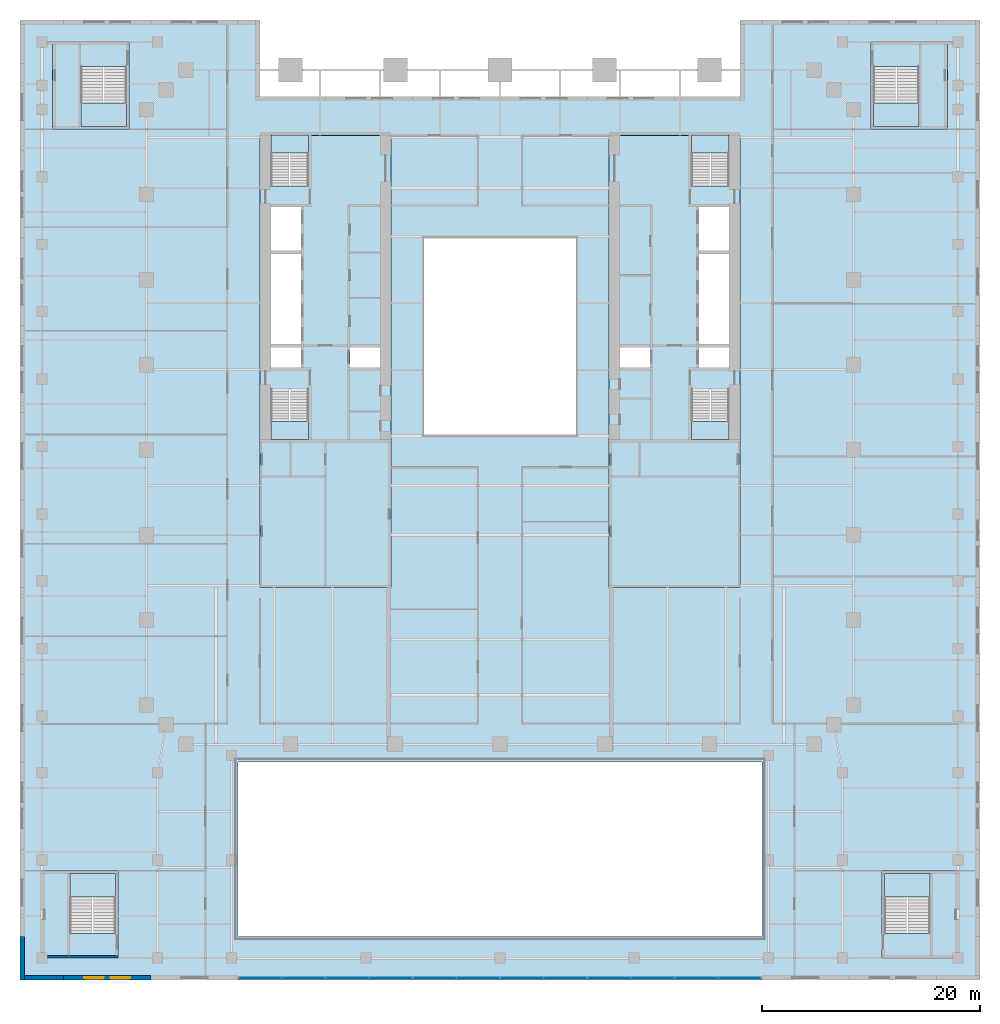
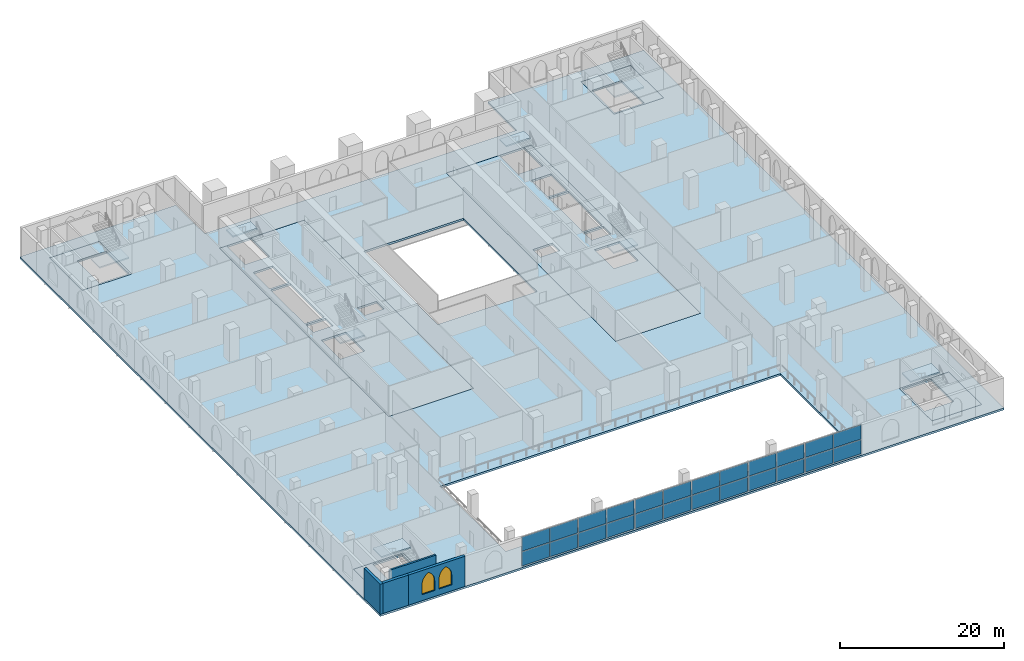
# One storey, part 7 of 19: 24 plates, 15 slabs, 4 walls, 2 windows, 2 openings, 14 elements without a shape of their own.
"""IFC4 building model written with IfcOpenShell, lengths in metres."""

from ifc_helpers import new_model, si_unit, direction, frame, frame_2d, origin, origin_2d, place, context, subcontext, project, spatial, polyline, rectangle, outline, extrude, material, layer, layer_set, type_object, element, fill, aggregate, save


model = new_model("IFC4")

# Units and contexts
model_context = context("Model", 3, precision=1e-05, world=origin(), true_north=direction((0.0, 1.0)))
body_context = subcontext(model_context, "Body", "Model", "MODEL_VIEW")
ifc_project = project(units=[si_unit("LENGTHUNIT", "METRE"), si_unit("AREAUNIT", "SQUARE_METRE"), si_unit("VOLUMEUNIT", "CUBIC_METRE"), si_unit("PLANEANGLEUNIT", "RADIAN"), si_unit("MASSUNIT", "GRAM", prefix="KILO")], contexts=[model_context])

# Site, building, storey
site_placement = place(None, origin())
site = spatial("IfcSite", under=ifc_project, at=site_placement, CompositionType="ELEMENT")
building_placement = place(site_placement, origin())
building = spatial("IfcBuilding", under=site, at=building_placement, Name="Ogive Exchange Tower", CompositionType="ELEMENT")
storey_placement = place(building_placement, frame((0.0, 0.0, 19.199951171875)))
storey = spatial("IfcBuildingStorey", under=building, at=storey_placement, Name="L03", CompositionType="ELEMENT", Elevation=19.199951171875)

# Slabs
ifc_material_1 = material(Name="Concrete C50/60", Category="concrete")
ifc_layer_1 = layer(ifc_material_1, 0.300048828125)
ifc_layer_set_1 = layer_set([ifc_layer_1], Name="Composite floor slab 300")
slab_type_1 = type_object("IfcSlabType", Name="Composite floor slab 300", PredefinedType="FLOOR", material=ifc_layer_set_1)
slab_1_placement = place(storey_placement, frame((0.0, 0.0, -0.300048828125)))
element("IfcSlab", 1, at=slab_1_placement, inside=storey, type_object=slab_type_1, Name="Composite floor slab", PredefinedType="FLOOR", context=body_context, shape_type="SweptSolid", body=[
    extrude(outline(polyline([(44.0, -52.0), (-44.0, -52.0), (-44.0, 36.0), (-22.0, 36.0), (-22.0, 29.0), (22.0, 29.0), (22.0, 36.0), (44.0, 36.0), (44.0, -52.0)]), holes=[polyline([(-42.0, -42.0), (-42.0, -50.0), (-35.0, -50.0), (-35.0, -42.0), (-42.0, -42.0)]), polyline([(35.0, -42.0), (35.0, -50.0), (42.0, -50.0), (42.0, -42.0), (35.0, -42.0)]), polyline([(-24.0, -32.0), (-24.0, -48.0), (24.0, -48.0), (24.0, -32.0), (-24.0, -32.0)]), polyline([(-22.0, 25.39990234375), (-22.0, -16.0), (-10.0, -16.0), (-10.0, 25.39990234375), (-22.0, 25.39990234375)]), polyline([(10.0, 25.39990234375), (10.0, -16.0), (22.0, -16.0), (22.0, 25.39990234375), (10.0, 25.39990234375)]), polyline([(-7.0, 16.0), (-7.0, -2.0), (7.0, -2.0), (7.0, 16.0), (-7.0, 16.0)]), polyline([(-41.0, 34.0), (-41.0, 26.0), (-34.0, 26.0), (-34.0, 34.0), (-41.0, 34.0)]), polyline([(34.0, 34.0), (34.0, 26.0), (41.0, 26.0), (41.0, 34.0), (34.0, 34.0)])]), origin(), (0.0, 0.0, 1.0), 0.300048828125),
])
ifc_material_2 = material(Name="Concrete C70/85", Category="concrete")
ifc_layer_2 = layer(ifc_material_2, 0.300048828125)
ifc_layer_set_2 = layer_set([ifc_layer_2], Name="Core floor slab 300")
slab_type_2 = type_object("IfcSlabType", Name="Core floor slab 300", PredefinedType="FLOOR", material=ifc_layer_set_2)
slab_2_placement = place(storey_placement, frame((0.0, 0.0, -0.300048828125)))
element("IfcSlab", 2, at=slab_2_placement, inside=storey, type_object=slab_type_2, Name="Core floor slab", PredefinedType="FLOOR", context=body_context, shape_type="SweptSolid", body=[
    extrude(outline(polyline([(-10.0, 25.39990234375), (-10.0, -16.0), (-22.0, -16.0), (-22.0, 25.39990234375), (-21.0, 25.39990234375), (-21.0, 20.803955078125), (-17.550048828125, 20.803955078125), (-17.550048828125, 25.39990234375), (-10.0, 25.39990234375)]), holes=[polyline([(-17.550048828125, 2.196044921875), (-21.0, 2.196044921875), (-21.0, -2.449951171875), (-17.550048828125, -2.449951171875), (-17.550048828125, 2.196044921875)]), polyline([(-18.25, 5.992919921875), (-21.0, 5.992919921875), (-21.0, 4.14990234375), (-18.25, 4.14990234375), (-18.25, 5.992919921875)]), polyline([(-11.0, 5.992919921875), (-13.75, 5.992919921875), (-13.75, 4.14990234375), (-11.0, 4.14990234375), (-11.0, 5.992919921875)]), polyline([(-21.0, 14.564208984375), (-21.0, 6.29296875), (-18.25, 6.29296875), (-18.25, 14.564208984375), (-21.0, 14.564208984375)]), polyline([(-18.25, 18.85009765625), (-21.0, 18.85009765625), (-21.0, 14.8642578125), (-18.25, 14.8642578125), (-18.25, 18.85009765625)])]), origin(), (0.0, 0.0, 1.0), 0.300048828125),
])
slab_3_placement = place(storey_placement, frame((0.0, 0.0, -0.300048828125)))
element("IfcSlab", 3, at=slab_3_placement, inside=storey, type_object=slab_type_2, Name="Core floor slab", PredefinedType="FLOOR", context=body_context, shape_type="SweptSolid", body=[
    extrude(outline(polyline([(22.0, 25.39990234375), (22.0, -16.0), (10.0, -16.0), (10.0, 25.39990234375), (17.550048828125, 25.39990234375), (17.550048828125, 20.803955078125), (21.0, 20.803955078125), (21.0, 25.39990234375), (22.0, 25.39990234375)]), holes=[polyline([(21.0, 2.196044921875), (17.550048828125, 2.196044921875), (17.550048828125, -2.449951171875), (21.0, -2.449951171875), (21.0, 2.196044921875)]), polyline([(13.75, 5.992919921875), (11.0, 5.992919921875), (11.0, 4.14990234375), (13.75, 4.14990234375), (13.75, 5.992919921875)]), polyline([(21.0, 5.992919921875), (18.25, 5.992919921875), (18.25, 4.14990234375), (21.0, 4.14990234375), (21.0, 5.992919921875)]), polyline([(18.25, 14.564208984375), (18.25, 6.29296875), (21.0, 6.29296875), (21.0, 14.564208984375), (18.25, 14.564208984375)]), polyline([(21.0, 18.85009765625), (18.25, 18.85009765625), (18.25, 14.8642578125), (21.0, 14.8642578125), (21.0, 18.85009765625)])]), origin(), (0.0, 0.0, 1.0), 0.300048828125),
])
slab_4_placement = place(storey_placement, frame((0.0, 0.0, -0.300048828125)))
element("IfcSlab", 4, at=slab_4_placement, inside=storey, type_object=slab_type_2, Name="Core floor slab", PredefinedType="FLOOR", context=body_context, shape_type="SweptSolid", body=[
    extrude(outline(polyline([(-42.0, -50.0), (-42.0, -42.0), (-35.0, -42.0), (-35.0, -50.0), (-42.0, -50.0)]), holes=[polyline([(-35.25, -42.25), (-39.39990234375, -42.25), (-39.39990234375, -47.74609375), (-35.25, -47.74609375), (-35.25, -42.25)])]), origin(), (0.0, 0.0, 1.0), 0.300048828125),
])
slab_5_placement = place(storey_placement, frame((0.0, 0.0, -0.300048828125)))
element("IfcSlab", 5, at=slab_5_placement, inside=storey, type_object=slab_type_2, Name="Core floor slab", PredefinedType="FLOOR", context=body_context, shape_type="SweptSolid", body=[
    extrude(outline(polyline([(35.0, -50.0), (35.0, -42.0), (42.0, -42.0), (42.0, -50.0), (35.0, -50.0)]), holes=[polyline([(39.39990234375, -42.25), (35.25, -42.25), (35.25, -47.74609375), (39.39990234375, -47.74609375), (39.39990234375, -42.25)])]), origin(), (0.0, 0.0, 1.0), 0.300048828125),
])
slab_6_placement = place(storey_placement, frame((0.0, 0.0, -0.300048828125)))
element("IfcSlab", 6, at=slab_6_placement, inside=storey, type_object=slab_type_2, Name="Core floor slab", PredefinedType="FLOOR", context=body_context, shape_type="SweptSolid", body=[
    extrude(outline(polyline([(-41.0, 26.0), (-41.0, 34.0), (-34.0, 34.0), (-34.0, 26.0), (-41.0, 26.0)]), holes=[polyline([(-38.39990234375, 26.25), (-34.25, 26.25), (-34.25, 31.74609375), (-38.39990234375, 31.74609375), (-38.39990234375, 26.25)])]), origin(), (0.0, 0.0, 1.0), 0.300048828125),
])
slab_7_placement = place(storey_placement, frame((0.0, 0.0, -0.300048828125)))
element("IfcSlab", 7, at=slab_7_placement, inside=storey, type_object=slab_type_2, Name="Core floor slab", PredefinedType="FLOOR", context=body_context, shape_type="SweptSolid", body=[
    extrude(outline(polyline([(34.0, 26.0), (34.0, 34.0), (41.0, 34.0), (41.0, 26.0), (34.0, 26.0)]), holes=[polyline([(34.25, 26.25), (38.39990234375, 26.25), (38.39990234375, 31.74609375), (34.25, 31.74609375), (34.25, 26.25)])]), origin(), (0.0, 0.0, 1.0), 0.300048828125),
])

# Curtain wall, plates
ifc_material_3 = material(Name="Anodised aluminium and clear glass", Category="aluminium")
curtain_wall_type = type_object("IfcCurtainWallType", Name="Galleria end wall glazing", PredefinedType="NOTDEFINED", material=ifc_material_3)
curtain_wall_1_placement = place(storey_placement, origin())
curtain_wall_1 = element("IfcCurtainWall", 8, at=curtain_wall_1_placement, inside=storey, type_object=curtain_wall_type, Name="Galleria end wall glazing run GE4", PredefinedType="NOTDEFINED")
ifc_material_4 = material(Name="Clear glass", Category="glass")
ifc_layer_3 = layer(ifc_material_4, 0.0400390625)
ifc_layer_set_3 = layer_set([ifc_layer_3], Name="Laminated clear glass panel 40")
plate_type = type_object("IfcPlateType", Name="Laminated clear glass panel 40", PredefinedType="CURTAIN_PANEL", material=ifc_layer_set_3)
plate_1_placement = place(storey_placement, frame((-21.97998046875, -51.800048828125, 0.080078125), z_axis=(0.0, 0.0, 1.0), x_axis=(1.0, 0.0, 0.0)))
plate_1 = element("IfcPlate", 9, at=plate_1_placement, type_object=plate_type, Name="GE4 panel 1.1", PredefinedType="CURTAIN_PANEL", context=body_context, shape_type="SweptSolid", body=[
    extrude(rectangle(XDim=3.8798828125, YDim=0.0400390625, at=origin_2d()), origin(), (0.0, 0.0, 1.0), 2.1298828125),
])
plate_2_placement = place(storey_placement, frame((-21.97998046875, -51.800048828125, 2.2900390625), z_axis=(0.0, 0.0, 1.0), x_axis=(1.0, 0.0, 0.0)))
plate_2 = element("IfcPlate", 10, at=plate_2_placement, type_object=plate_type, Name="GE4 panel 1.2", PredefinedType="CURTAIN_PANEL", context=body_context, shape_type="SweptSolid", body=[
    extrude(rectangle(XDim=3.8798828125, YDim=0.0400390625, at=origin_2d()), origin(), (0.0, 0.0, 1.0), 2.1298828125),
])
plate_3_placement = place(storey_placement, frame((-18.02001953125, -51.800048828125, 0.080078125), z_axis=(0.0, 0.0, 1.0), x_axis=(1.0, 0.0, 0.0)))
plate_3 = element("IfcPlate", 11, at=plate_3_placement, type_object=plate_type, Name="GE4 panel 2.1", PredefinedType="CURTAIN_PANEL", context=body_context, shape_type="SweptSolid", body=[
    extrude(rectangle(XDim=3.8798828125, YDim=0.0400390625, at=origin_2d()), origin(), (0.0, 0.0, 1.0), 2.1298828125),
])
plate_4_placement = place(storey_placement, frame((-18.02001953125, -51.800048828125, 2.2900390625), z_axis=(0.0, 0.0, 1.0), x_axis=(1.0, 0.0, 0.0)))
plate_4 = element("IfcPlate", 12, at=plate_4_placement, type_object=plate_type, Name="GE4 panel 2.2", PredefinedType="CURTAIN_PANEL", context=body_context, shape_type="SweptSolid", body=[
    extrude(rectangle(XDim=3.8798828125, YDim=0.0400390625, at=origin_2d()), origin(), (0.0, 0.0, 1.0), 2.1298828125),
])
aggregate(curtain_wall_1, [plate_1, plate_2, plate_3, plate_4])

curtain_wall_2_placement = place(storey_placement, origin())
curtain_wall_2 = element("IfcCurtainWall", 13, at=curtain_wall_2_placement, inside=storey, type_object=curtain_wall_type, Name="Galleria end wall glazing run GE5", PredefinedType="NOTDEFINED")
plate_5_placement = place(storey_placement, frame((-13.97998046875, -51.800048828125, 0.080078125), z_axis=(0.0, 0.0, 1.0), x_axis=(1.0, 0.0, 0.0)))
plate_5 = element("IfcPlate", 14, at=plate_5_placement, type_object=plate_type, Name="GE5 panel 1.1", PredefinedType="CURTAIN_PANEL", context=body_context, shape_type="SweptSolid", body=[
    extrude(rectangle(XDim=3.8798828125, YDim=0.0400390625, at=origin_2d()), origin(), (0.0, 0.0, 1.0), 2.1298828125),
])
plate_6_placement = place(storey_placement, frame((-13.97998046875, -51.800048828125, 2.2900390625), z_axis=(0.0, 0.0, 1.0), x_axis=(1.0, 0.0, 0.0)))
plate_6 = element("IfcPlate", 15, at=plate_6_placement, type_object=plate_type, Name="GE5 panel 1.2", PredefinedType="CURTAIN_PANEL", context=body_context, shape_type="SweptSolid", body=[
    extrude(rectangle(XDim=3.8798828125, YDim=0.0400390625, at=origin_2d()), origin(), (0.0, 0.0, 1.0), 2.1298828125),
])
plate_7_placement = place(storey_placement, frame((-10.02001953125, -51.800048828125, 0.080078125), z_axis=(0.0, 0.0, 1.0), x_axis=(1.0, 0.0, 0.0)))
plate_7 = element("IfcPlate", 16, at=plate_7_placement, type_object=plate_type, Name="GE5 panel 2.1", PredefinedType="CURTAIN_PANEL", context=body_context, shape_type="SweptSolid", body=[
    extrude(rectangle(XDim=3.8798828125, YDim=0.0400390625, at=origin_2d()), origin(), (0.0, 0.0, 1.0), 2.1298828125),
])
plate_8_placement = place(storey_placement, frame((-10.02001953125, -51.800048828125, 2.2900390625), z_axis=(0.0, 0.0, 1.0), x_axis=(1.0, 0.0, 0.0)))
plate_8 = element("IfcPlate", 17, at=plate_8_placement, type_object=plate_type, Name="GE5 panel 2.2", PredefinedType="CURTAIN_PANEL", context=body_context, shape_type="SweptSolid", body=[
    extrude(rectangle(XDim=3.8798828125, YDim=0.0400390625, at=origin_2d()), origin(), (0.0, 0.0, 1.0), 2.1298828125),
])
aggregate(curtain_wall_2, [plate_5, plate_6, plate_7, plate_8])

curtain_wall_3_placement = place(storey_placement, origin())
curtain_wall_3 = element("IfcCurtainWall", 18, at=curtain_wall_3_placement, inside=storey, type_object=curtain_wall_type, Name="Galleria end wall glazing run GE6", PredefinedType="NOTDEFINED")
plate_9_placement = place(storey_placement, frame((-5.97998046875, -51.800048828125, 0.080078125), z_axis=(0.0, 0.0, 1.0), x_axis=(1.0, 0.0, 0.0)))
plate_9 = element("IfcPlate", 19, at=plate_9_placement, type_object=plate_type, Name="GE6 panel 1.1", PredefinedType="CURTAIN_PANEL", context=body_context, shape_type="SweptSolid", body=[
    extrude(rectangle(XDim=3.8798828125, YDim=0.0400390625, at=origin_2d()), origin(), (0.0, 0.0, 1.0), 2.1298828125),
])
plate_10_placement = place(storey_placement, frame((-5.97998046875, -51.800048828125, 2.2900390625), z_axis=(0.0, 0.0, 1.0), x_axis=(1.0, 0.0, 0.0)))
plate_10 = element("IfcPlate", 20, at=plate_10_placement, type_object=plate_type, Name="GE6 panel 1.2", PredefinedType="CURTAIN_PANEL", context=body_context, shape_type="SweptSolid", body=[
    extrude(rectangle(XDim=3.8798828125, YDim=0.0400390625, at=origin_2d()), origin(), (0.0, 0.0, 1.0), 2.1298828125),
])
plate_11_placement = place(storey_placement, frame((-2.02001953125, -51.800048828125, 0.080078125), z_axis=(0.0, 0.0, 1.0), x_axis=(1.0, 0.0, 0.0)))
plate_11 = element("IfcPlate", 21, at=plate_11_placement, type_object=plate_type, Name="GE6 panel 2.1", PredefinedType="CURTAIN_PANEL", context=body_context, shape_type="SweptSolid", body=[
    extrude(rectangle(XDim=3.8798828125, YDim=0.0400390625, at=origin_2d()), origin(), (0.0, 0.0, 1.0), 2.1298828125),
])
plate_12_placement = place(storey_placement, frame((-2.02001953125, -51.800048828125, 2.2900390625), z_axis=(0.0, 0.0, 1.0), x_axis=(1.0, 0.0, 0.0)))
plate_12 = element("IfcPlate", 22, at=plate_12_placement, type_object=plate_type, Name="GE6 panel 2.2", PredefinedType="CURTAIN_PANEL", context=body_context, shape_type="SweptSolid", body=[
    extrude(rectangle(XDim=3.8798828125, YDim=0.0400390625, at=origin_2d()), origin(), (0.0, 0.0, 1.0), 2.1298828125),
])
aggregate(curtain_wall_3, [plate_9, plate_10, plate_11, plate_12])

curtain_wall_4_placement = place(storey_placement, origin())
curtain_wall_4 = element("IfcCurtainWall", 23, at=curtain_wall_4_placement, inside=storey, type_object=curtain_wall_type, Name="Galleria end wall glazing run GE7", PredefinedType="NOTDEFINED")
plate_13_placement = place(storey_placement, frame((2.02001953125, -51.800048828125, 0.080078125), z_axis=(0.0, 0.0, 1.0), x_axis=(1.0, 0.0, 0.0)))
plate_13 = element("IfcPlate", 24, at=plate_13_placement, type_object=plate_type, Name="GE7 panel 1.1", PredefinedType="CURTAIN_PANEL", context=body_context, shape_type="SweptSolid", body=[
    extrude(rectangle(XDim=3.8798828125, YDim=0.0400390625, at=origin_2d()), origin(), (0.0, 0.0, 1.0), 2.1298828125),
])
plate_14_placement = place(storey_placement, frame((2.02001953125, -51.800048828125, 2.2900390625), z_axis=(0.0, 0.0, 1.0), x_axis=(1.0, 0.0, 0.0)))
plate_14 = element("IfcPlate", 25, at=plate_14_placement, type_object=plate_type, Name="GE7 panel 1.2", PredefinedType="CURTAIN_PANEL", context=body_context, shape_type="SweptSolid", body=[
    extrude(rectangle(XDim=3.8798828125, YDim=0.0400390625, at=origin_2d()), origin(), (0.0, 0.0, 1.0), 2.1298828125),
])
plate_15_placement = place(storey_placement, frame((5.97998046875, -51.800048828125, 0.080078125), z_axis=(0.0, 0.0, 1.0), x_axis=(1.0, 0.0, 0.0)))
plate_15 = element("IfcPlate", 26, at=plate_15_placement, type_object=plate_type, Name="GE7 panel 2.1", PredefinedType="CURTAIN_PANEL", context=body_context, shape_type="SweptSolid", body=[
    extrude(rectangle(XDim=3.8798828125, YDim=0.0400390625, at=origin_2d()), origin(), (0.0, 0.0, 1.0), 2.1298828125),
])
plate_16_placement = place(storey_placement, frame((5.97998046875, -51.800048828125, 2.2900390625), z_axis=(0.0, 0.0, 1.0), x_axis=(1.0, 0.0, 0.0)))
plate_16 = element("IfcPlate", 27, at=plate_16_placement, type_object=plate_type, Name="GE7 panel 2.2", PredefinedType="CURTAIN_PANEL", context=body_context, shape_type="SweptSolid", body=[
    extrude(rectangle(XDim=3.8798828125, YDim=0.0400390625, at=origin_2d()), origin(), (0.0, 0.0, 1.0), 2.1298828125),
])
aggregate(curtain_wall_4, [plate_13, plate_14, plate_15, plate_16])

curtain_wall_5_placement = place(storey_placement, origin())
curtain_wall_5 = element("IfcCurtainWall", 28, at=curtain_wall_5_placement, inside=storey, type_object=curtain_wall_type, Name="Galleria end wall glazing run GE8", PredefinedType="NOTDEFINED")
plate_17_placement = place(storey_placement, frame((10.02001953125, -51.800048828125, 0.080078125), z_axis=(0.0, 0.0, 1.0), x_axis=(1.0, 0.0, 0.0)))
plate_17 = element("IfcPlate", 29, at=plate_17_placement, type_object=plate_type, Name="GE8 panel 1.1", PredefinedType="CURTAIN_PANEL", context=body_context, shape_type="SweptSolid", body=[
    extrude(rectangle(XDim=3.8798828125, YDim=0.0400390625, at=origin_2d()), origin(), (0.0, 0.0, 1.0), 2.1298828125),
])
plate_18_placement = place(storey_placement, frame((10.02001953125, -51.800048828125, 2.2900390625), z_axis=(0.0, 0.0, 1.0), x_axis=(1.0, 0.0, 0.0)))
plate_18 = element("IfcPlate", 30, at=plate_18_placement, type_object=plate_type, Name="GE8 panel 1.2", PredefinedType="CURTAIN_PANEL", context=body_context, shape_type="SweptSolid", body=[
    extrude(rectangle(XDim=3.8798828125, YDim=0.0400390625, at=origin_2d()), origin(), (0.0, 0.0, 1.0), 2.1298828125),
])
plate_19_placement = place(storey_placement, frame((13.97998046875, -51.800048828125, 0.080078125), z_axis=(0.0, 0.0, 1.0), x_axis=(1.0, 0.0, 0.0)))
plate_19 = element("IfcPlate", 31, at=plate_19_placement, type_object=plate_type, Name="GE8 panel 2.1", PredefinedType="CURTAIN_PANEL", context=body_context, shape_type="SweptSolid", body=[
    extrude(rectangle(XDim=3.8798828125, YDim=0.0400390625, at=origin_2d()), origin(), (0.0, 0.0, 1.0), 2.1298828125),
])
plate_20_placement = place(storey_placement, frame((13.97998046875, -51.800048828125, 2.2900390625), z_axis=(0.0, 0.0, 1.0), x_axis=(1.0, 0.0, 0.0)))
plate_20 = element("IfcPlate", 32, at=plate_20_placement, type_object=plate_type, Name="GE8 panel 2.2", PredefinedType="CURTAIN_PANEL", context=body_context, shape_type="SweptSolid", body=[
    extrude(rectangle(XDim=3.8798828125, YDim=0.0400390625, at=origin_2d()), origin(), (0.0, 0.0, 1.0), 2.1298828125),
])
aggregate(curtain_wall_5, [plate_17, plate_18, plate_19, plate_20])

curtain_wall_6_placement = place(storey_placement, origin())
curtain_wall_6 = element("IfcCurtainWall", 33, at=curtain_wall_6_placement, inside=storey, type_object=curtain_wall_type, Name="Galleria end wall glazing run GE9", PredefinedType="NOTDEFINED")
plate_21_placement = place(storey_placement, frame((18.02001953125, -51.800048828125, 0.080078125), z_axis=(0.0, 0.0, 1.0), x_axis=(1.0, 0.0, 0.0)))
plate_21 = element("IfcPlate", 34, at=plate_21_placement, type_object=plate_type, Name="GE9 panel 1.1", PredefinedType="CURTAIN_PANEL", context=body_context, shape_type="SweptSolid", body=[
    extrude(rectangle(XDim=3.8798828125, YDim=0.0400390625, at=origin_2d()), origin(), (0.0, 0.0, 1.0), 2.1298828125),
])
plate_22_placement = place(storey_placement, frame((18.02001953125, -51.800048828125, 2.2900390625), z_axis=(0.0, 0.0, 1.0), x_axis=(1.0, 0.0, 0.0)))
plate_22 = element("IfcPlate", 35, at=plate_22_placement, type_object=plate_type, Name="GE9 panel 1.2", PredefinedType="CURTAIN_PANEL", context=body_context, shape_type="SweptSolid", body=[
    extrude(rectangle(XDim=3.8798828125, YDim=0.0400390625, at=origin_2d()), origin(), (0.0, 0.0, 1.0), 2.1298828125),
])
plate_23_placement = place(storey_placement, frame((21.97998046875, -51.800048828125, 0.080078125), z_axis=(0.0, 0.0, 1.0), x_axis=(1.0, 0.0, 0.0)))
plate_23 = element("IfcPlate", 36, at=plate_23_placement, type_object=plate_type, Name="GE9 panel 2.1", PredefinedType="CURTAIN_PANEL", context=body_context, shape_type="SweptSolid", body=[
    extrude(rectangle(XDim=3.8798828125, YDim=0.0400390625, at=origin_2d()), origin(), (0.0, 0.0, 1.0), 2.1298828125),
])
plate_24_placement = place(storey_placement, frame((21.97998046875, -51.800048828125, 2.2900390625), z_axis=(0.0, 0.0, 1.0), x_axis=(1.0, 0.0, 0.0)))
plate_24 = element("IfcPlate", 37, at=plate_24_placement, type_object=plate_type, Name="GE9 panel 2.2", PredefinedType="CURTAIN_PANEL", context=body_context, shape_type="SweptSolid", body=[
    extrude(rectangle(XDim=3.8798828125, YDim=0.0400390625, at=origin_2d()), origin(), (0.0, 0.0, 1.0), 2.1298828125),
])
aggregate(curtain_wall_6, [plate_21, plate_22, plate_23, plate_24])

# Stair, slab
ifc_material_5 = material(Name="Concrete C40/50", Category="concrete")
stair_type_1 = type_object("IfcStairType", Name="Exit stair 1650 wide", PredefinedType="HALF_TURN_STAIR", material=ifc_material_5)
stair_1_placement = place(storey_placement, origin())
stair_1 = element("IfcStair", 38, at=stair_1_placement, inside=storey, type_object=stair_type_1, Name="L03 exit stair ST1", PredefinedType="HALF_TURN_STAIR")
ifc_layer_4 = layer(ifc_material_5, 0.199951171875)
ifc_layer_set_4 = layer_set([ifc_layer_4], Name="Stair landing 200 slab")
slab_type_3 = type_object("IfcSlabType", Name="Stair landing 200 slab", PredefinedType="LANDING", material=ifc_layer_set_4)
slab_8_placement = place(storey_placement, frame((0.0, 0.0, 2.199951171875)))
slab_8 = element("IfcSlab", 39, at=slab_8_placement, type_object=slab_type_3, Name="ST1 landing 1", PredefinedType="LANDING", context=body_context, shape_type="SweptSolid", body=[
    extrude(outline(polyline([(-21.0, -0.800048828125), (-21.0, -2.449951171875), (-17.550048828125, -2.449951171875), (-17.550048828125, -0.800048828125), (-21.0, -0.800048828125)])), origin(), (0.0, 0.0, 1.0), 0.2001953125),
])
aggregate(stair_1, [slab_8])

stair_2_placement = place(storey_placement, origin())
stair_2 = element("IfcStair", 40, at=stair_2_placement, inside=storey, type_object=stair_type_1, Name="L03 exit stair ST2", PredefinedType="HALF_TURN_STAIR")
slab_9_placement = place(storey_placement, frame((0.0, 0.0, 2.199951171875)))
slab_9 = element("IfcSlab", 41, at=slab_9_placement, type_object=slab_type_3, Name="ST2 landing 1", PredefinedType="LANDING", context=body_context, shape_type="SweptSolid", body=[
    extrude(outline(polyline([(-17.550048828125, 23.800048828125), (-17.550048828125, 25.449951171875), (-21.0, 25.449951171875), (-21.0, 23.800048828125), (-17.550048828125, 23.800048828125)])), origin(), (0.0, 0.0, 1.0), 0.2001953125),
])
aggregate(stair_2, [slab_9])

stair_3_placement = place(storey_placement, origin())
stair_3 = element("IfcStair", 42, at=stair_3_placement, inside=storey, type_object=stair_type_1, Name="L03 exit stair ST3", PredefinedType="HALF_TURN_STAIR")
slab_10_placement = place(storey_placement, frame((0.0, 0.0, 2.199951171875)))
slab_10 = element("IfcSlab", 43, at=slab_10_placement, type_object=slab_type_3, Name="ST3 landing 1", PredefinedType="LANDING", context=body_context, shape_type="SweptSolid", body=[
    extrude(outline(polyline([(17.550048828125, -0.800048828125), (17.550048828125, -2.449951171875), (21.0, -2.449951171875), (21.0, -0.800048828125), (17.550048828125, -0.800048828125)])), origin(), (0.0, 0.0, 1.0), 0.2001953125),
])
aggregate(stair_3, [slab_10])

stair_4_placement = place(storey_placement, origin())
stair_4 = element("IfcStair", 44, at=stair_4_placement, inside=storey, type_object=stair_type_1, Name="L03 exit stair ST4", PredefinedType="HALF_TURN_STAIR")
slab_11_placement = place(storey_placement, frame((0.0, 0.0, 2.199951171875)))
slab_11 = element("IfcSlab", 45, at=slab_11_placement, type_object=slab_type_3, Name="ST4 landing 1", PredefinedType="LANDING", context=body_context, shape_type="SweptSolid", body=[
    extrude(outline(polyline([(21.0, 23.800048828125), (21.0, 25.449951171875), (17.550048828125, 25.449951171875), (17.550048828125, 23.800048828125), (21.0, 23.800048828125)])), origin(), (0.0, 0.0, 1.0), 0.2001953125),
])
aggregate(stair_4, [slab_11])

stair_type_2 = type_object("IfcStairType", Name="Exit stair 2000 wide", PredefinedType="HALF_TURN_STAIR", material=ifc_material_5)
stair_5_placement = place(storey_placement, origin())
stair_5 = element("IfcStair", 46, at=stair_5_placement, inside=storey, type_object=stair_type_2, Name="L03 exit stair PS1", PredefinedType="HALF_TURN_STAIR")
slab_12_placement = place(storey_placement, frame((0.0, 0.0, 2.199951171875)))
slab_12 = element("IfcSlab", 47, at=slab_12_placement, type_object=slab_type_3, Name="PS1 landing 1", PredefinedType="LANDING", context=body_context, shape_type="SweptSolid", body=[
    extrude(outline(polyline([(-35.25, -44.389892578125), (-35.25, -42.25), (-39.39990234375, -42.25), (-39.39990234375, -44.389892578125), (-35.25, -44.389892578125)])), origin(), (0.0, 0.0, 1.0), 0.2001953125),
])
aggregate(stair_5, [slab_12])

stair_6_placement = place(storey_placement, origin())
stair_6 = element("IfcStair", 48, at=stair_6_placement, inside=storey, type_object=stair_type_2, Name="L03 exit stair PS2", PredefinedType="HALF_TURN_STAIR")
slab_13_placement = place(storey_placement, frame((0.0, 0.0, 2.199951171875)))
slab_13 = element("IfcSlab", 49, at=slab_13_placement, type_object=slab_type_3, Name="PS2 landing 1", PredefinedType="LANDING", context=body_context, shape_type="SweptSolid", body=[
    extrude(outline(polyline([(39.39990234375, -44.389892578125), (39.39990234375, -42.25), (35.25, -42.25), (35.25, -44.389892578125), (39.39990234375, -44.389892578125)])), origin(), (0.0, 0.0, 1.0), 0.2001953125),
])
aggregate(stair_6, [slab_13])

stair_7_placement = place(storey_placement, origin())
stair_7 = element("IfcStair", 50, at=stair_7_placement, inside=storey, type_object=stair_type_2, Name="L03 exit stair PS3", PredefinedType="HALF_TURN_STAIR")
slab_14_placement = place(storey_placement, frame((0.0, 0.0, 2.199951171875)))
slab_14 = element("IfcSlab", 51, at=slab_14_placement, type_object=slab_type_3, Name="PS3 landing 1", PredefinedType="LANDING", context=body_context, shape_type="SweptSolid", body=[
    extrude(outline(polyline([(-38.39990234375, 28.389892578125), (-38.39990234375, 26.25), (-34.25, 26.25), (-34.25, 28.389892578125), (-38.39990234375, 28.389892578125)])), origin(), (0.0, 0.0, 1.0), 0.2001953125),
])
aggregate(stair_7, [slab_14])

stair_8_placement = place(storey_placement, origin())
stair_8 = element("IfcStair", 52, at=stair_8_placement, inside=storey, type_object=stair_type_2, Name="L03 exit stair PS4", PredefinedType="HALF_TURN_STAIR")
slab_15_placement = place(storey_placement, frame((0.0, 0.0, 2.199951171875)))
slab_15 = element("IfcSlab", 53, at=slab_15_placement, type_object=slab_type_3, Name="PS4 landing 1", PredefinedType="LANDING", context=body_context, shape_type="SweptSolid", body=[
    extrude(outline(polyline([(34.25, 28.389892578125), (34.25, 26.25), (38.39990234375, 26.25), (38.39990234375, 28.389892578125), (34.25, 28.389892578125)])), origin(), (0.0, 0.0, 1.0), 0.2001953125),
])
aggregate(stair_8, [slab_15])

# Wall
ifc_material_6 = material(Name="Precast concrete C40/50", Category="concrete")
ifc_layer_5 = layer(ifc_material_6, 0.39990234375)
ifc_layer_set_5 = layer_set([ifc_layer_5], Name="Limestone-faced wall 400")
wall_type_1 = type_object("IfcWallType", Name="Limestone-faced wall 400", PredefinedType="STANDARD", material=ifc_layer_set_5)
wall_1_placement = place(storey_placement, frame((-43.60009765625, -51.800048828125, 0.0), z_axis=(0.0, 0.0, 1.0), x_axis=(1.0, 0.0, 0.0)))
element("IfcWall", 54, at=wall_1_placement, inside=storey, type_object=wall_type_1, Name="Podium wall S1", PredefinedType="STANDARD", context=body_context, shape_type="SweptSolid", body=[
    extrude(rectangle(XDim=3.60009765625, YDim=0.39990234375, at=frame_2d((1.800048828125, 0.0))), origin(), (0.0, 0.0, 1.0), 4.5),
])

# Wall, openings, windows
wall_2_placement = place(storey_placement, frame((-40.0, -51.800048828125, 0.0), z_axis=(0.0, 0.0, 1.0), x_axis=(1.0, 0.0, 0.0)))
wall_2 = element("IfcWall", 55, at=wall_2_placement, inside=storey, type_object=wall_type_1, Name="Podium wall S2", PredefinedType="STANDARD", context=body_context, shape_type="SweptSolid", body=[
    extrude(rectangle(XDim=8.0, YDim=0.39990234375, at=frame_2d((4.0, 0.0))), origin(), (0.0, 0.0, 1.0), 4.5),
])
opening_1_placement = place(wall_2_placement, frame((1.89990234375, 0.0, 0.89990234375)))
opening_1 = element("IfcOpeningElement", 56, at=opening_1_placement, cuts=wall_2, Name="Opening WQ300", PredefinedType="OPENING", context=body_context, shape_type="SweptSolid", body=[
    extrude(outline(polyline([(0.0, 0.0), (1.800048828125, 0.0), (1.800048828125, 1.5), (1.78466796875, 1.72900390625), (1.73828125, 1.953857421875), (1.662353515625, 2.17041015625), (1.557861328125, 2.374755859375), (1.4267578125, 2.56298828125), (1.271484375, 2.73193359375), (1.0947265625, 2.878662109375), (0.89990234375, 3.0), (0.705322265625, 2.878662109375), (0.528564453125, 2.73193359375), (0.373291015625, 2.56298828125), (0.2421875, 2.374755859375), (0.1376953125, 2.17041015625), (0.061767578125, 1.953857421875), (0.015380859375, 1.72900390625), (0.0, 1.5), (0.0, 0.0)])), frame((0.0, 0.2099609375, 0.0), z_axis=(0.0, -1.0, 0.0), x_axis=(1.0, 0.0, 0.0)), (0.0, 0.0, 1.0), 0.419921875),
])
opening_2_placement = place(wall_2_placement, frame((4.300048828125, 0.0, 0.89990234375)))
opening_2 = element("IfcOpeningElement", 57, at=opening_2_placement, cuts=wall_2, Name="Opening WQ300", PredefinedType="OPENING", context=body_context, shape_type="SweptSolid", body=[
    extrude(outline(polyline([(0.0, 0.0), (1.800048828125, 0.0), (1.800048828125, 1.5), (1.78466796875, 1.72900390625), (1.73828125, 1.953857421875), (1.662353515625, 2.17041015625), (1.557861328125, 2.374755859375), (1.4267578125, 2.56298828125), (1.271484375, 2.73193359375), (1.0947265625, 2.878662109375), (0.89990234375, 3.0), (0.705322265625, 2.878662109375), (0.528564453125, 2.73193359375), (0.373291015625, 2.56298828125), (0.2421875, 2.374755859375), (0.1376953125, 2.17041015625), (0.061767578125, 1.953857421875), (0.015380859375, 1.72900390625), (0.0, 1.5), (0.0, 0.0)])), frame((0.0, 0.2099609375, 0.0), z_axis=(0.0, -1.0, 0.0), x_axis=(1.0, 0.0, 0.0)), (0.0, 0.0, 1.0), 0.419921875),
])
ifc_material_7 = material(Name="Clear glass in bronze frame", Category="glass")
window_type = type_object("IfcWindowType", Name="Podium paired lancet 1800 x 3000", PartitioningType="DOUBLE_PANEL_VERTICAL", PredefinedType="WINDOW", material=ifc_material_7)
window_1_placement = place(opening_1_placement, origin())
window_1 = element("IfcWindow", 58, at=window_1_placement, inside=storey, type_object=window_type, Name="Podium paired lancet S2.1", OverallHeight=3.0, OverallWidth=1.800048828125, PartitioningType="DOUBLE_PANEL_VERTICAL", PredefinedType="WINDOW", context=body_context, shape_type="SweptSolid", body=[
    extrude(outline(polyline([(0.0, 0.0), (1.800048828125, 0.0), (1.800048828125, 1.5), (1.78466796875, 1.72900390625), (1.73828125, 1.953857421875), (1.662353515625, 2.17041015625), (1.557861328125, 2.374755859375), (1.4267578125, 2.56298828125), (1.271484375, 2.73193359375), (1.0947265625, 2.878662109375), (0.89990234375, 3.0), (0.705322265625, 2.878662109375), (0.528564453125, 2.73193359375), (0.373291015625, 2.56298828125), (0.2421875, 2.374755859375), (0.1376953125, 2.17041015625), (0.061767578125, 1.953857421875), (0.015380859375, 1.72900390625), (0.0, 1.5), (0.0, 0.0)])), frame((0.0, 0.030029296875, 0.0), z_axis=(0.0, -1.0, 0.0), x_axis=(1.0, 0.0, 0.0)), (0.0, 0.0, 1.0), 0.06005859375),
])
fill(opening_1, window_1)
window_2_placement = place(opening_2_placement, origin())
window_2 = element("IfcWindow", 59, at=window_2_placement, inside=storey, type_object=window_type, Name="Podium paired lancet S2.2", OverallHeight=3.0, OverallWidth=1.800048828125, PartitioningType="DOUBLE_PANEL_VERTICAL", PredefinedType="WINDOW", context=body_context, shape_type="SweptSolid", body=[
    extrude(outline(polyline([(0.0, 0.0), (1.800048828125, 0.0), (1.800048828125, 1.5), (1.78466796875, 1.72900390625), (1.73828125, 1.953857421875), (1.662353515625, 2.17041015625), (1.557861328125, 2.374755859375), (1.4267578125, 2.56298828125), (1.271484375, 2.73193359375), (1.0947265625, 2.878662109375), (0.89990234375, 3.0), (0.705322265625, 2.878662109375), (0.528564453125, 2.73193359375), (0.373291015625, 2.56298828125), (0.2421875, 2.374755859375), (0.1376953125, 2.17041015625), (0.061767578125, 1.953857421875), (0.015380859375, 1.72900390625), (0.0, 1.5), (0.0, 0.0)])), frame((0.0, 0.030029296875, 0.0), z_axis=(0.0, -1.0, 0.0), x_axis=(1.0, 0.0, 0.0)), (0.0, 0.0, 1.0), 0.06005859375),
])
fill(opening_2, window_2)

# Walls
wall_3_placement = place(storey_placement, frame((-43.800048828125, -48.0, 0.0), z_axis=(0.0, 0.0, 1.0), x_axis=(0.0, -1.0, 0.0)))
element("IfcWall", 60, at=wall_3_placement, inside=storey, type_object=wall_type_1, Name="Podium wall W12", PredefinedType="STANDARD", context=body_context, shape_type="SweptSolid", body=[
    extrude(rectangle(XDim=4.0, YDim=0.39990234375, at=frame_2d((2.0, 0.0))), origin(), (0.0, 0.0, 1.0), 4.5),
])
ifc_layer_6 = layer(ifc_material_2, 0.25)
ifc_layer_set_6 = layer_set([ifc_layer_6], Name="RC core wall 250 C70/85")
wall_type_2 = type_object("IfcWallType", Name="RC core wall 250 C70/85", PredefinedType="SHEAR", material=ifc_layer_set_6)
wall_4_placement = place(storey_placement, frame((-41.5, -49.875, 0.0), z_axis=(0.0, 0.0, 1.0), x_axis=(1.0, 0.0, 0.0)))
element("IfcWall", 61, at=wall_4_placement, inside=storey, type_object=wall_type_2, Name="PS1 south wall", PredefinedType="SHEAR", context=body_context, shape_type="SweptSolid", body=[
    extrude(rectangle(XDim=6.5, YDim=0.25, at=frame_2d((3.25, 0.0))), origin(), (0.0, 0.0, 1.0), 4.5),
])

save(model, "model.ifc")
